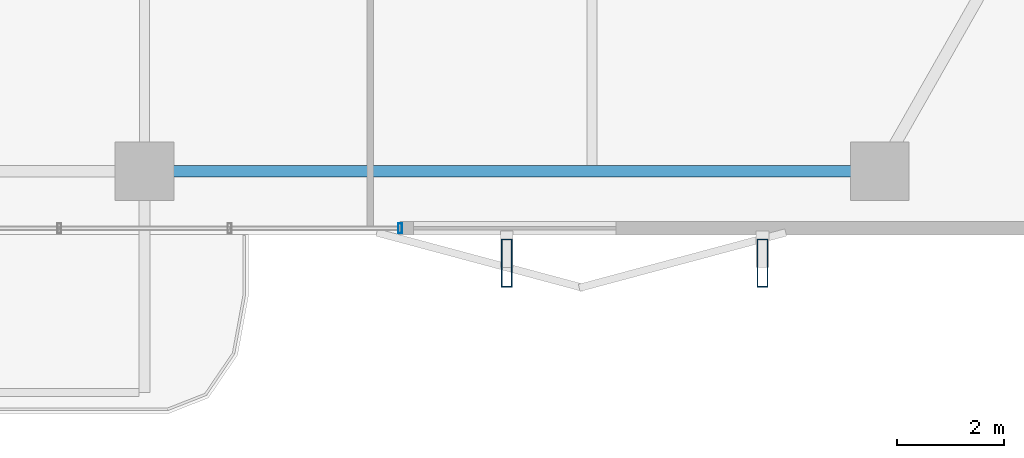
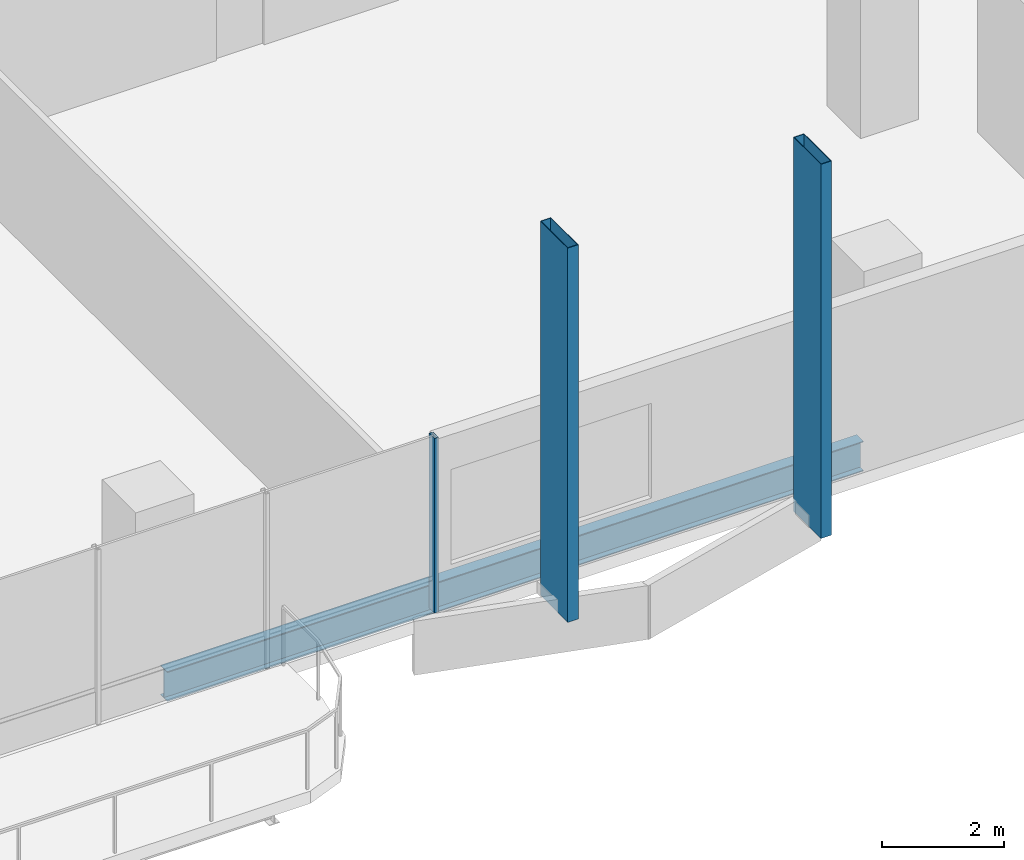
# One storey, part 6 of 24: 3 members, 1 beam, 1 element without a shape of its own.
"""IFC4 building model written with IfcOpenShell, lengths in metres."""

from ifc_helpers import new_model, si_unit, direction, frame, origin, origin_2d, place, context, subcontext, project, spatial, hollow_rectangle, i_section, extrude, material, layer, layer_set, material_profile, profile_set, type_object, element, aggregate, save


model = new_model("IFC4")

# Units and contexts
model_context = context("Model", 3, precision=1e-05, world=origin(), true_north=direction((0.0, 1.0)))
body_context = subcontext(model_context, "Body", "Model", "MODEL_VIEW")
ifc_project = project(units=[si_unit("LENGTHUNIT", "METRE"), si_unit("AREAUNIT", "SQUARE_METRE"), si_unit("VOLUMEUNIT", "CUBIC_METRE"), si_unit("PLANEANGLEUNIT", "RADIAN"), si_unit("MASSUNIT", "GRAM", prefix="KILO")], contexts=[model_context])

# Site, building, storey
site_placement = place(None, origin())
site = spatial("IfcSite", under=ifc_project, at=site_placement, CompositionType="ELEMENT")
building_placement = place(site_placement, origin())
building = spatial("IfcBuilding", under=site, at=building_placement, Name="Belovzor Exchange Tower", CompositionType="ELEMENT")
storey_placement = place(building_placement, frame((0.0, 0.0, 218.699951171875)))
storey = spatial("IfcBuildingStorey", under=building, at=storey_placement, Name="L54", CompositionType="ELEMENT", Elevation=218.699951171875)

# Members
ifc_material_1 = material(Name="Extruded Architectural Terracotta on Steel S355 Carrier", Category="masonry")
ifc_material_profile_1 = material_profile(ifc_material_1, hollow_rectangle(XDim=0.199951171875, YDim=0.89990234375, WallThickness=0.011962890625, at=origin_2d()))
ifc_profile_set_1 = profile_set([ifc_material_profile_1], Name="Extruded Architectural Terracotta on Steel S355 Carrier")
member_type_1 = type_object("IfcMemberType", Name="Sweeping Terracotta Baguette Fin Assembly 950", PredefinedType="USERDEFINED", material=ifc_profile_set_1)
for number, where, z_axis, x_axis, name in (
    (1, (35.60009765625, 1.27490234375, -0.25), (0.0, 0.0, 1.0), (1.0, 0.0, 0.0), "FIN-TC095 Terracotta Facade Fin L54 S3"),
    (2, (40.39990234375, 1.27490234375, -0.25), (0.0, 0.0, 1.0), (1.0, 0.0, 0.0), "FIN-TC095 Terracotta Facade Fin L54 S4"),
):
    element("IfcMember", number, at=place(storey_placement, frame(where, z_axis=z_axis, x_axis=x_axis)), inside=storey, type_object=member_type_1, Name=name, ObjectType="FIN", PredefinedType="USERDEFINED", context=body_context, shape_type="SweptSolid", body=[
        extrude(hollow_rectangle(XDim=0.199951171875, YDim=0.89990234375, WallThickness=0.011962890625, at=origin_2d()), origin(), (0.0, 0.0, 1.0), 7.5),
    ])

# Curtain wall, member
ifc_material_2 = material(Name="Anodised Aluminium Framing", Category="aluminium")
ifc_layer = layer(ifc_material_2, 0.179931640625)
ifc_layer_set = layer_set([ifc_layer], Name="Anodised Aluminium Framing")
curtain_wall_type = type_object("IfcCurtainWallType", Name="Recessed Loggia Low-Iron Triple-Glazed Curtain Wall", PredefinedType="NOTDEFINED", material=ifc_layer_set)
curtain_wall_placement = place(storey_placement, origin())
curtain_wall = element("IfcCurtainWall", 3, at=curtain_wall_placement, inside=storey, type_object=curtain_wall_type, Name="CW3 Recessed Loggia Low-Iron Triple-Glazed Curtain Wall L54", PredefinedType="NOTDEFINED")
ifc_material_3 = material(Name="Steel S355", Category="steel")
ifc_material_profile_2 = material_profile(ifc_material_3, hollow_rectangle(XDim=0.074951171875, YDim=0.179931640625, WallThickness=0.0048828125, at=origin_2d()))
ifc_profile_set_2 = profile_set([ifc_material_profile_2], Name="Steel S355")
member_type_2 = type_object("IfcMemberType", Name="Thermally Broken Curtain Wall Mullion 180x75", PredefinedType="MULLION", material=ifc_profile_set_2)
member_placement = place(storey_placement, frame((33.60009765625, 1.929931640625, 0.0), z_axis=(0.0, 0.0, 1.0), x_axis=(-1.0, 0.0, 0.0)))
member = element("IfcMember", 4, at=member_placement, type_object=member_type_2, Name="CW-M180 Curtain Wall Mullion 1", PredefinedType="MULLION", context=body_context, shape_type="SweptSolid", body=[
    extrude(hollow_rectangle(XDim=0.074951171875, YDim=0.179931640625, WallThickness=0.0048828125, at=origin_2d()), origin(), (0.0, 0.0, 1.0), 3.5),
])
aggregate(curtain_wall, [member])

# Beam
ifc_material_4 = material(Name="Steel S355", Category="steel")
ifc_material_profile_3 = material_profile(ifc_material_4, i_section(OverallWidth=0.219970703125, OverallDepth=0.60009765625, WebThickness=0.011962890625, FlangeThickness=0.01904296875, at=origin_2d()))
ifc_profile_set_3 = profile_set([ifc_material_profile_3], Name="Steel S355")
beam_type = type_object("IfcBeamType", Name="Zone 4 Flare Primary Girder IPE 600", PredefinedType="BEAM", material=ifc_profile_set_3)
beam_placement = place(storey_placement, frame((29.10205078125, 3.0, -0.550048828125), z_axis=(1.0, 0.0, 0.0), x_axis=(0.0, 1.0, 0.0)))
element("IfcBeam", 5, at=beam_placement, inside=storey, type_object=beam_type, Name="FG-Z4 Zone 4 Flare Primary Girder IPE 600", PredefinedType="BEAM", context=body_context, shape_type="SweptSolid", body=[
    extrude(i_section(OverallWidth=0.219970703125, OverallDepth=0.60009765625, WebThickness=0.011962890625, FlangeThickness=0.01904296875, at=origin_2d()), origin(), (0.0, 0.0, 1.0), 13.195068359375),
])

save(model, "model.ifc")
